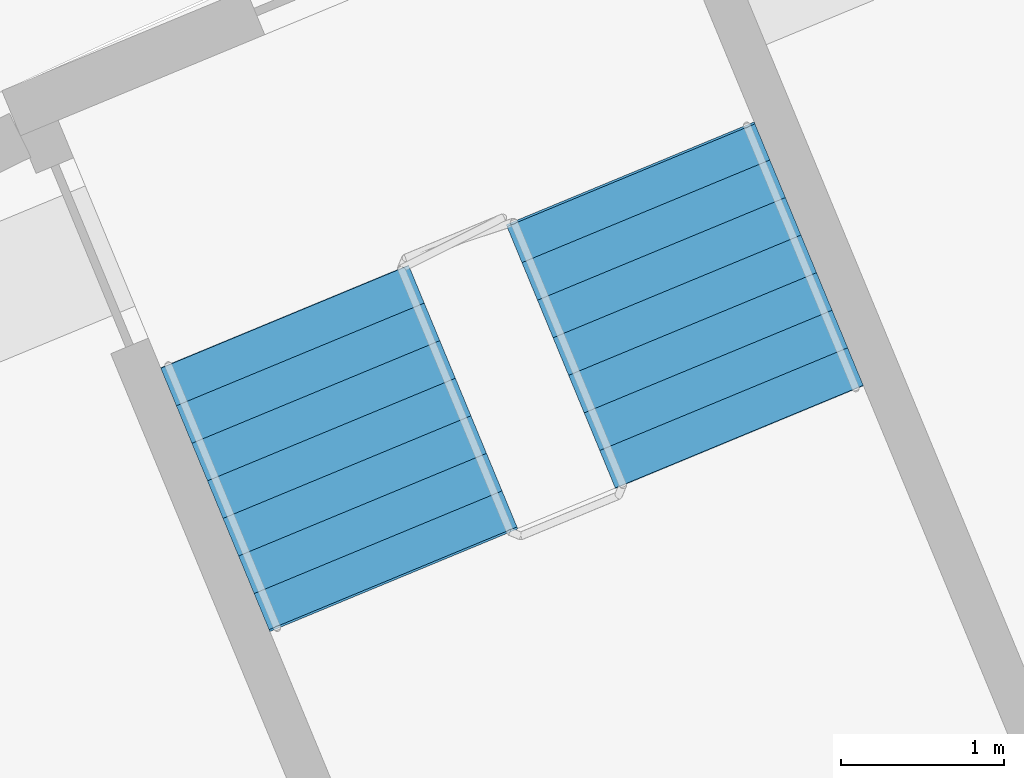
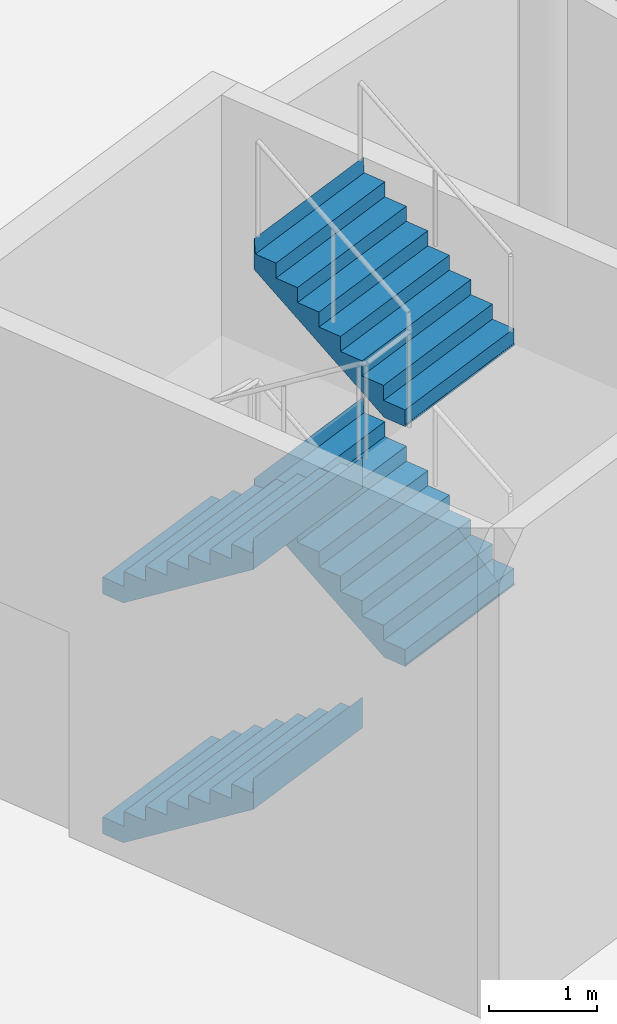
# One storey, part 36 of 41: 4 stair flights, 1 element without a shape of its own.
"""IFC4 building model written with IfcOpenShell, lengths in metres."""

import ifcopenshell
import ifcopenshell.guid

model = None  # the IFC model being written
_history = None  # IfcOwnerHistory: only IFC2X3 demands one
_inside = {}  # id of a spatial element -> (the spatial element, [elements in it])
_under = {}  # id of a project, library or spatial element -> (it, [spatial elements below it])
_declared = {}  # id of a project -> (the project, [libraries it declares])
_typed = {}  # id of a type object -> (the type object, [elements of that type])
_made_of = {}  # id of a material, layer set ... -> (it, [elements and type objects made of it])


def new_model(schema):
    """Start an empty IFC model of exactly this schema.

    Asked for "IFC4X3", IfcOpenShell would pick the latest addendum, in which some entities
    have other attributes; the version numbers below select the first issue.
    IFC2X3 requires an IfcOwnerHistory on every rooted entity: one is made here for all.
    """
    global model, _history
    if schema == "IFC4X3":
        model = ifcopenshell.file(schema_version=(4, 3, 0, 0))
    else:
        model = ifcopenshell.file(schema=schema)
    _inside.clear()
    _under.clear()
    _declared.clear()
    _typed.clear()
    _made_of.clear()
    _history = None
    if model.schema == "IFC2X3":
        org = make("IfcOrganization", Name="unknown")
        user = make(
            "IfcPersonAndOrganization",
            ThePerson=make("IfcPerson", FamilyName="unknown"),
            TheOrganization=org,
        )
        app = make(
            "IfcApplication",
            ApplicationDeveloper=org,
            Version="unknown",
            ApplicationFullName="unknown",
            ApplicationIdentifier="unknown",
        )
        _history = make(
            "IfcOwnerHistory",
            OwningUser=user,
            OwningApplication=app,
            ChangeAction="ADDED",
            CreationDate=0,
        )
    return model


def make(cls, **values):
    """One entity of the class cls with the attributes given. An attribute that is None is left unset."""
    return model.create_entity(
        cls, **{name: value for name, value in values.items() if value is not None}
    )


def rooted(cls, **values):
    """An entity with a GlobalId (a new one), such as an element, a storey or a relation."""
    return make(cls, GlobalId=ifcopenshell.guid.new(), OwnerHistory=_history, **values)


def si_unit(unit_type, name, prefix=None):
    """IfcSIUnit, for example si_unit("LENGTHUNIT", "METRE", prefix="MILLI")."""
    return make("IfcSIUnit", UnitType=unit_type, Prefix=prefix, Name=name)


def assignment(units):
    """IfcUnitAssignment: the units of a project."""
    return None if units is None else make("IfcUnitAssignment", Units=units)


def point(xyz):
    """IfcCartesianPoint."""
    return None if xyz is None else make("IfcCartesianPoint", Coordinates=xyz)


def direction(xyz):
    """IfcDirection."""
    return None if xyz is None else make("IfcDirection", DirectionRatios=xyz)


def frame(location, z_axis=None, x_axis=None):
    """IfcAxis2Placement3D, a coordinate frame: its origin and axes. An axis left out is left unset."""
    return make(
        "IfcAxis2Placement3D",
        Location=point(location),
        Axis=direction(z_axis),
        RefDirection=direction(x_axis),
    )


def origin():
    """The frame at (0, 0, 0) with its axes left unset."""
    return frame((0.0, 0.0, 0.0))


def place(relative_to, where):
    """IfcLocalPlacement: puts the frame where relative to a parent placement (None: the world)."""
    return make(
        "IfcLocalPlacement", PlacementRelTo=relative_to, RelativePlacement=where
    )


def context(
    kind, dimensions, precision=None, world=None, true_north=None, identifier=None
):
    """IfcGeometricRepresentationContext, for example the 3D "Model" context."""
    return make(
        "IfcGeometricRepresentationContext",
        ContextIdentifier=identifier,
        ContextType=kind,
        CoordinateSpaceDimension=dimensions,
        Precision=precision,
        WorldCoordinateSystem=world,
        TrueNorth=true_north,
    )


def subcontext(parent, identifier, kind, view, scale=None):
    """IfcGeometricRepresentationSubContext, for example "Body" below "Model"."""
    return make(
        "IfcGeometricRepresentationSubContext",
        ContextIdentifier=identifier,
        ContextType=kind,
        ParentContext=parent,
        TargetScale=scale,
        TargetView=view,
    )


def project(units=None, contexts=None):
    """IfcProject with its units and contexts."""
    return rooted(
        "IfcProject",
        Name="project",
        RepresentationContexts=contexts,
        UnitsInContext=assignment(units),
    )


def spatial(cls, under=None, at=None, **own):
    """A site, building, storey or space (cls), placed at a placement, below another one or the project."""
    s = rooted(cls, ObjectPlacement=at, **own)
    if under is not None:
        _under.setdefault(under.id(), (under, []))[1].append(s)
    return s


def point_list(points):
    """IfcCartesianPointList2D or 3D."""
    cls = (
        "IfcCartesianPointList2D" if len(points[0]) == 2 else "IfcCartesianPointList3D"
    )
    return make(cls, CoordList=points)


def triangles(points, corners, closed=None, point_numbers=None):
    """IfcTriangulatedFaceSet: each triangle names its three corners, points numbered from 1."""
    return make(
        "IfcTriangulatedFaceSet",
        Coordinates=point_list(points),
        Closed=closed,
        CoordIndex=corners,
        PnIndex=point_numbers,
    )


def shape(context_of_items, identifier, shape_type, items):
    """IfcShapeRepresentation: the items that make up one representation, for example the "Body"."""
    return make(
        "IfcShapeRepresentation",
        ContextOfItems=context_of_items,
        RepresentationIdentifier=identifier,
        RepresentationType=shape_type,
        Items=items,
    )


def material(Name=None, Category=None):
    """IfcMaterial."""
    return make("IfcMaterial", Name=Name, Category=Category)


def made_of(thing, what):
    """Note that an element or type object is made of a material, layer set ...; save() writes the relation."""
    if what is not None:
        _made_of.setdefault(what.id(), (what, []))[1].append(thing)
    return thing


def type_object(cls, material=None, **own):
    """A type object (cls), such as IfcWallType, which elements share."""
    return made_of(rooted(cls, **own), material)


def element(
    cls,
    number,
    at=None,
    inside=None,
    cuts=None,
    type_object=None,
    material=None,
    context=None,
    identifier="Body",
    shape_type=None,
    held_by="IfcProductDefinitionShape",
    body=None,
    shapes=None,
    **own,
):
    """One element of the class cls, such as IfcWall. Its Tag is "e" and its number.

    at: its placement. inside: the storey or other place that contains it. cuts: it is an
    opening in that element (IfcRelVoidsElement). A single representation is given by context,
    identifier, shape_type and body (its items); several are given by shapes. held_by: the class
    of the entity that holds the representations. save() writes the other relations.
    """
    e = rooted(cls, Tag="e%d" % number, ObjectPlacement=at, **own)
    if body is not None:
        shapes = [shape(context, identifier, shape_type, body)]
    if shapes is not None:
        e.Representation = make(held_by, Representations=shapes)
    if inside is not None:
        _inside.setdefault(inside.id(), (inside, []))[1].append(e)
    if cuts is not None:
        rooted(
            "IfcRelVoidsElement", RelatingBuildingElement=cuts, RelatedOpeningElement=e
        )
    if type_object is not None:
        _typed.setdefault(type_object.id(), (type_object, []))[1].append(e)
    return made_of(e, material)


def aggregate(whole, parts):
    """IfcRelAggregates: a whole, such as a stair, and the parts it consists of."""
    return rooted("IfcRelAggregates", RelatingObject=whole, RelatedObjects=parts)


def save(model, path):
    """Write the relations noted so far, then the file.

    IfcRelAggregates (storeys below a building ...), IfcRelContainedInSpatialStructure (elements
    in a storey), IfcRelDefinesByType, IfcRelAssociatesMaterial and IfcRelDeclares: one each for
    every whole, place, type object, material and project.
    """
    for whole, parts in _under.values():
        aggregate(whole, parts)
    for where, things in _inside.values():
        rooted(
            "IfcRelContainedInSpatialStructure",
            RelatedElements=things,
            RelatingStructure=where,
        )
    for kind, things in _typed.values():
        rooted("IfcRelDefinesByType", RelatedObjects=things, RelatingType=kind)
    for what, things in _made_of.values():
        rooted("IfcRelAssociatesMaterial", RelatedObjects=things, RelatingMaterial=what)
    for by, libraries in _declared.values():
        rooted("IfcRelDeclares", RelatingContext=by, RelatedDefinitions=libraries)
    model.write(path)


model = new_model("IFC4")

# Units and contexts
model_context = context("Model", 3, precision=1e-05, world=origin(), true_north=direction((0.0, 1.0)))
body_context = subcontext(model_context, "Body", "Model", "MODEL_VIEW")
ifc_project = project(units=[si_unit("LENGTHUNIT", "METRE"), si_unit("AREAUNIT", "SQUARE_METRE"), si_unit("VOLUMEUNIT", "CUBIC_METRE"), si_unit("PLANEANGLEUNIT", "RADIAN"), si_unit("MASSUNIT", "GRAM", prefix="KILO")], contexts=[model_context])

# Site, building, storey
site_placement = place(None, origin())
site = spatial("IfcSite", under=ifc_project, at=site_placement, CompositionType="ELEMENT")
building_placement = place(site_placement, origin())
building = spatial("IfcBuilding", under=site, at=building_placement, Name="Maasbend Ring Residences", CompositionType="ELEMENT")
storey_placement = place(building_placement, origin())
storey = spatial("IfcBuildingStorey", under=building, at=storey_placement, Name="L00", CompositionType="ELEMENT", Elevation=0.0)

# Stair, stair flights
ifc_material_1 = material(Name="Concrete C40/50", Category="concrete")
stair_type = type_object("IfcStairType", Name="CORE STAIR 32 RISERS", PredefinedType="HALF_TURN_STAIR", material=ifc_material_1)
stair_placement = place(storey_placement, origin())
stair = element("IfcStair", 1, at=stair_placement, inside=storey, type_object=stair_type, Name="L00 Exit stair ST-P1", PredefinedType="HALF_TURN_STAIR")
ifc_material_2 = material(Name="Concrete C40/50", Category="concrete")
stair_flight_type = type_object("IfcStairFlightType", Name="CORE STAIR FLIGHT 1650", PredefinedType="STRAIGHT", material=ifc_material_2)
stair_flight_1_placement = place(storey_placement, frame((-17.900634765625, 40.210693359375, 0.0), z_axis=(0.0, 0.0, 1.0), x_axis=(0.382683432365, -0.923879532511, 0.0)))
stair_flight_1 = element("IfcStairFlight", 2, at=stair_flight_1_placement, type_object=stair_flight_type, Name="ST-P1 flight 1", NumberOfRisers=8, NumberOfTreads=7, PredefinedType="STRAIGHT", RiserHeight=0.16875, TreadLength=0.25, context=body_context, shape_type="Tessellation", body=[
    triangles([(0.2412109375, 0.824951171875, -0.02001953125), (1.7529296875, 0.824951171875, 1.00048828125), (1.7529296875, 0.824951171875, 1.35009765625), (1.739990234375, 0.824951171875, 1.18115234375), (1.5, 0.824951171875, 1.18115234375), (1.5, 0.824951171875, 1.012451171875), (1.25, 0.824951171875, 1.012451171875), (1.25, 0.824951171875, 0.84375), (1.0, 0.824951171875, 0.84375), (1.0, 0.824951171875, 0.675048828125), (0.75, 0.824951171875, 0.675048828125), (0.75, 0.824951171875, 0.50634765625), (0.5, 0.824951171875, 0.50634765625), (0.5, 0.824951171875, 0.33740234375), (0.25, 0.824951171875, 0.33740234375), (0.25, 0.824951171875, 0.168701171875), (0.0, 0.824951171875, 0.168701171875), (0.0, 0.824951171875, 0.0), (-0.0029296875, 0.824951171875, 0.0), (-0.0029296875, 0.824951171875, -0.02001953125), (0.2412109375, 0.41259765625, -0.02001953125), (1.7529296875, 0.41259765625, 1.00048828125), (1.7529296875, 0.41259765625, 1.35009765625), (1.739990234375, 0.41259765625, 1.18115234375), (1.5, 0.41259765625, 1.18115234375), (1.5, 0.41259765625, 1.012451171875), (1.25, 0.41259765625, 1.012451171875), (1.25, 0.41259765625, 0.84375), (1.0, 0.41259765625, 0.84375), (1.0, 0.41259765625, 0.675048828125), (0.75, 0.41259765625, 0.675048828125), (0.75, 0.41259765625, 0.50634765625), (0.5, 0.41259765625, 0.50634765625), (0.5, 0.41259765625, 0.33740234375), (0.25, 0.41259765625, 0.33740234375), (0.25, 0.41259765625, 0.168701171875), (0.0, 0.41259765625, 0.168701171875), (0.0, 0.41259765625, 0.0), (-0.0029296875, 0.41259765625, 0.0), (-0.0029296875, 0.41259765625, -0.02001953125), (0.2412109375, 0.0, -0.02001953125), (1.7529296875, 0.0, 1.00048828125), (1.7529296875, 0.0, 1.35009765625), (1.739990234375, 0.0, 1.18115234375), (1.5, 0.0, 1.18115234375), (1.5, 0.0, 1.012451171875), (1.25, 0.0, 1.012451171875), (1.25, 0.0, 0.84375), (1.0, 0.0, 0.84375), (1.0, 0.0, 0.675048828125), (0.75, 0.0, 0.675048828125), (0.75, 0.0, 0.50634765625), (0.5, 0.0, 0.50634765625), (0.5, 0.0, 0.33740234375), (0.25, 0.0, 0.33740234375), (0.25, 0.0, 0.168701171875), (0.0, 0.0, 0.168701171875), (0.0, 0.0, 0.0), (-0.0029296875, 0.0, 0.0), (-0.0029296875, 0.0, -0.02001953125), (0.2412109375, -0.41259765625, -0.02001953125), (1.7529296875, -0.41259765625, 1.00048828125), (1.7529296875, -0.41259765625, 1.35009765625), (1.739990234375, -0.41259765625, 1.18115234375), (1.5, -0.41259765625, 1.18115234375), (1.5, -0.41259765625, 1.012451171875), (1.25, -0.41259765625, 1.012451171875), (1.25, -0.41259765625, 0.84375), (1.0, -0.41259765625, 0.84375), (1.0, -0.41259765625, 0.675048828125), (0.75, -0.41259765625, 0.675048828125), (0.75, -0.41259765625, 0.50634765625), (0.5, -0.41259765625, 0.50634765625), (0.5, -0.41259765625, 0.33740234375), (0.25, -0.41259765625, 0.33740234375), (0.25, -0.41259765625, 0.168701171875), (0.0, -0.41259765625, 0.168701171875), (0.0, -0.41259765625, 0.0), (-0.0029296875, -0.41259765625, 0.0), (-0.0029296875, -0.41259765625, -0.02001953125), (0.2412109375, -0.824951171875, -0.02001953125), (1.7529296875, -0.824951171875, 1.00048828125), (1.7529296875, -0.824951171875, 1.35009765625), (1.739990234375, -0.824951171875, 1.18115234375), (1.5, -0.824951171875, 1.18115234375), (1.5, -0.824951171875, 1.012451171875), (1.25, -0.824951171875, 1.012451171875), (1.25, -0.824951171875, 0.84375), (1.0, -0.824951171875, 0.84375), (1.0, -0.824951171875, 0.675048828125), (0.75, -0.824951171875, 0.675048828125), (0.75, -0.824951171875, 0.50634765625), (0.5, -0.824951171875, 0.50634765625), (0.5, -0.824951171875, 0.33740234375), (0.25, -0.824951171875, 0.33740234375), (0.25, -0.824951171875, 0.168701171875), (0.0, -0.824951171875, 0.168701171875), (0.0, -0.824951171875, 0.0), (-0.0029296875, -0.824951171875, 0.0), (-0.0029296875, -0.824951171875, -0.02001953125)], [[1, 2, 22], [1, 22, 21], [21, 22, 42], [21, 42, 41], [41, 42, 62], [41, 62, 61], [61, 62, 82], [61, 82, 81], [2, 3, 23], [2, 23, 22], [22, 23, 43], [22, 43, 42], [42, 43, 63], [42, 63, 62], [62, 63, 83], [62, 83, 82], [3, 4, 24], [3, 24, 23], [23, 24, 44], [23, 44, 43], [43, 44, 64], [43, 64, 63], [63, 64, 84], [63, 84, 83], [4, 5, 25], [4, 25, 24], [24, 25, 45], [24, 45, 44], [44, 45, 65], [44, 65, 64], [64, 65, 85], [64, 85, 84], [5, 6, 26], [5, 26, 25], [25, 26, 46], [25, 46, 45], [45, 46, 66], [45, 66, 65], [65, 66, 86], [65, 86, 85], [6, 7, 27], [6, 27, 26], [26, 27, 47], [26, 47, 46], [46, 47, 67], [46, 67, 66], [66, 67, 87], [66, 87, 86], [7, 8, 28], [7, 28, 27], [27, 28, 48], [27, 48, 47], [47, 48, 68], [47, 68, 67], [67, 68, 88], [67, 88, 87], [8, 9, 29], [8, 29, 28], [28, 29, 49], [28, 49, 48], [48, 49, 69], [48, 69, 68], [68, 69, 89], [68, 89, 88], [9, 10, 30], [9, 30, 29], [29, 30, 50], [29, 50, 49], [49, 50, 70], [49, 70, 69], [69, 70, 90], [69, 90, 89], [10, 11, 31], [10, 31, 30], [30, 31, 51], [30, 51, 50], [50, 51, 71], [50, 71, 70], [70, 71, 91], [70, 91, 90], [11, 12, 32], [11, 32, 31], [31, 32, 52], [31, 52, 51], [51, 52, 72], [51, 72, 71], [71, 72, 92], [71, 92, 91], [12, 13, 33], [12, 33, 32], [32, 33, 53], [32, 53, 52], [52, 53, 73], [52, 73, 72], [72, 73, 93], [72, 93, 92], [13, 14, 34], [13, 34, 33], [33, 34, 54], [33, 54, 53], [53, 54, 74], [53, 74, 73], [73, 74, 94], [73, 94, 93], [14, 15, 35], [14, 35, 34], [34, 35, 55], [34, 55, 54], [54, 55, 75], [54, 75, 74], [74, 75, 95], [74, 95, 94], [15, 16, 36], [15, 36, 35], [35, 36, 56], [35, 56, 55], [55, 56, 76], [55, 76, 75], [75, 76, 96], [75, 96, 95], [16, 17, 37], [16, 37, 36], [36, 37, 57], [36, 57, 56], [56, 57, 77], [56, 77, 76], [76, 77, 97], [76, 97, 96], [17, 18, 38], [17, 38, 37], [37, 38, 58], [37, 58, 57], [57, 58, 78], [57, 78, 77], [77, 78, 98], [77, 98, 97], [18, 19, 39], [18, 39, 38], [38, 39, 59], [38, 59, 58], [58, 59, 79], [58, 79, 78], [78, 79, 99], [78, 99, 98], [19, 20, 40], [19, 40, 39], [39, 40, 60], [39, 60, 59], [59, 60, 80], [59, 80, 79], [79, 80, 100], [79, 100, 99], [20, 1, 21], [20, 21, 40], [40, 21, 41], [40, 41, 60], [60, 41, 61], [60, 61, 80], [80, 61, 81], [80, 81, 100], [20, 2, 1], [2, 4, 3], [2, 5, 4], [2, 6, 5], [20, 6, 2], [6, 8, 7], [20, 8, 6], [8, 10, 9], [20, 10, 8], [10, 12, 11], [20, 12, 10], [12, 14, 13], [20, 14, 12], [14, 16, 15], [20, 16, 14], [16, 18, 17], [20, 18, 16], [18, 20, 19], [100, 81, 82], [82, 83, 84], [82, 84, 85], [82, 85, 86], [100, 82, 86], [86, 87, 88], [100, 86, 88], [88, 89, 90], [100, 88, 90], [90, 91, 92], [100, 90, 92], [92, 93, 94], [100, 92, 94], [94, 95, 96], [100, 94, 96], [96, 97, 98], [100, 96, 98], [98, 99, 100]], closed=True),
])
stair_flight_2_placement = place(storey_placement, frame((-15.10595703125, 39.473876953125, 1.35009765625), z_axis=(0.0, 0.0, 1.0), x_axis=(-0.382683432365, 0.923879532511, 0.0)))
stair_flight_2 = element("IfcStairFlight", 3, at=stair_flight_2_placement, type_object=stair_flight_type, Name="ST-P1 flight 2", NumberOfRisers=8, NumberOfTreads=7, PredefinedType="STRAIGHT", RiserHeight=0.16875, TreadLength=0.25, context=body_context, shape_type="Tessellation", body=[
    triangles([(0.2412109375, 0.824951171875, -0.02001953125), (1.7529296875, 0.824951171875, 1.00048828125), (1.7529296875, 0.824951171875, 1.35009765625), (1.739990234375, 0.824951171875, 1.18115234375), (1.5, 0.824951171875, 1.18115234375), (1.5, 0.824951171875, 1.012451171875), (1.25, 0.824951171875, 1.012451171875), (1.25, 0.824951171875, 0.84375), (1.0, 0.824951171875, 0.84375), (1.0, 0.824951171875, 0.675048828125), (0.75, 0.824951171875, 0.675048828125), (0.75, 0.824951171875, 0.50634765625), (0.5, 0.824951171875, 0.50634765625), (0.5, 0.824951171875, 0.33740234375), (0.25, 0.824951171875, 0.33740234375), (0.25, 0.824951171875, 0.168701171875), (0.0, 0.824951171875, 0.168701171875), (0.0, 0.824951171875, 0.0), (-0.0029296875, 0.824951171875, 0.0), (-0.0029296875, 0.824951171875, -0.02001953125), (0.2412109375, 0.41259765625, -0.02001953125), (1.7529296875, 0.41259765625, 1.00048828125), (1.7529296875, 0.41259765625, 1.35009765625), (1.739990234375, 0.41259765625, 1.18115234375), (1.5, 0.41259765625, 1.18115234375), (1.5, 0.41259765625, 1.012451171875), (1.25, 0.41259765625, 1.012451171875), (1.25, 0.41259765625, 0.84375), (1.0, 0.41259765625, 0.84375), (1.0, 0.41259765625, 0.675048828125), (0.75, 0.41259765625, 0.675048828125), (0.75, 0.41259765625, 0.50634765625), (0.5, 0.41259765625, 0.50634765625), (0.5, 0.41259765625, 0.33740234375), (0.25, 0.41259765625, 0.33740234375), (0.25, 0.41259765625, 0.168701171875), (0.0, 0.41259765625, 0.168701171875), (0.0, 0.41259765625, 0.0), (-0.0029296875, 0.41259765625, 0.0), (-0.0029296875, 0.41259765625, -0.02001953125), (0.2412109375, 0.0, -0.02001953125), (1.7529296875, 0.0, 1.00048828125), (1.7529296875, 0.0, 1.35009765625), (1.739990234375, 0.0, 1.18115234375), (1.5, 0.0, 1.18115234375), (1.5, 0.0, 1.012451171875), (1.25, 0.0, 1.012451171875), (1.25, 0.0, 0.84375), (1.0, 0.0, 0.84375), (1.0, 0.0, 0.675048828125), (0.75, 0.0, 0.675048828125), (0.75, 0.0, 0.50634765625), (0.5, 0.0, 0.50634765625), (0.5, 0.0, 0.33740234375), (0.25, 0.0, 0.33740234375), (0.25, 0.0, 0.168701171875), (0.0, 0.0, 0.168701171875), (0.0, 0.0, 0.0), (-0.0029296875, 0.0, 0.0), (-0.0029296875, 0.0, -0.02001953125), (0.2412109375, -0.41259765625, -0.02001953125), (1.7529296875, -0.41259765625, 1.00048828125), (1.7529296875, -0.41259765625, 1.35009765625), (1.739990234375, -0.41259765625, 1.18115234375), (1.5, -0.41259765625, 1.18115234375), (1.5, -0.41259765625, 1.012451171875), (1.25, -0.41259765625, 1.012451171875), (1.25, -0.41259765625, 0.84375), (1.0, -0.41259765625, 0.84375), (1.0, -0.41259765625, 0.675048828125), (0.75, -0.41259765625, 0.675048828125), (0.75, -0.41259765625, 0.50634765625), (0.5, -0.41259765625, 0.50634765625), (0.5, -0.41259765625, 0.33740234375), (0.25, -0.41259765625, 0.33740234375), (0.25, -0.41259765625, 0.168701171875), (0.0, -0.41259765625, 0.168701171875), (0.0, -0.41259765625, 0.0), (-0.0029296875, -0.41259765625, 0.0), (-0.0029296875, -0.41259765625, -0.02001953125), (0.2412109375, -0.824951171875, -0.02001953125), (1.7529296875, -0.824951171875, 1.00048828125), (1.7529296875, -0.824951171875, 1.35009765625), (1.739990234375, -0.824951171875, 1.18115234375), (1.5, -0.824951171875, 1.18115234375), (1.5, -0.824951171875, 1.012451171875), (1.25, -0.824951171875, 1.012451171875), (1.25, -0.824951171875, 0.84375), (1.0, -0.824951171875, 0.84375), (1.0, -0.824951171875, 0.675048828125), (0.75, -0.824951171875, 0.675048828125), (0.75, -0.824951171875, 0.50634765625), (0.5, -0.824951171875, 0.50634765625), (0.5, -0.824951171875, 0.33740234375), (0.25, -0.824951171875, 0.33740234375), (0.25, -0.824951171875, 0.168701171875), (0.0, -0.824951171875, 0.168701171875), (0.0, -0.824951171875, 0.0), (-0.0029296875, -0.824951171875, 0.0), (-0.0029296875, -0.824951171875, -0.02001953125)], [[1, 2, 22], [1, 22, 21], [21, 22, 42], [21, 42, 41], [41, 42, 62], [41, 62, 61], [61, 62, 82], [61, 82, 81], [2, 3, 23], [2, 23, 22], [22, 23, 43], [22, 43, 42], [42, 43, 63], [42, 63, 62], [62, 63, 83], [62, 83, 82], [3, 4, 24], [3, 24, 23], [23, 24, 44], [23, 44, 43], [43, 44, 64], [43, 64, 63], [63, 64, 84], [63, 84, 83], [4, 5, 25], [4, 25, 24], [24, 25, 45], [24, 45, 44], [44, 45, 65], [44, 65, 64], [64, 65, 85], [64, 85, 84], [5, 6, 26], [5, 26, 25], [25, 26, 46], [25, 46, 45], [45, 46, 66], [45, 66, 65], [65, 66, 86], [65, 86, 85], [6, 7, 27], [6, 27, 26], [26, 27, 47], [26, 47, 46], [46, 47, 67], [46, 67, 66], [66, 67, 87], [66, 87, 86], [7, 8, 28], [7, 28, 27], [27, 28, 48], [27, 48, 47], [47, 48, 68], [47, 68, 67], [67, 68, 88], [67, 88, 87], [8, 9, 29], [8, 29, 28], [28, 29, 49], [28, 49, 48], [48, 49, 69], [48, 69, 68], [68, 69, 89], [68, 89, 88], [9, 10, 30], [9, 30, 29], [29, 30, 50], [29, 50, 49], [49, 50, 70], [49, 70, 69], [69, 70, 90], [69, 90, 89], [10, 11, 31], [10, 31, 30], [30, 31, 51], [30, 51, 50], [50, 51, 71], [50, 71, 70], [70, 71, 91], [70, 91, 90], [11, 12, 32], [11, 32, 31], [31, 32, 52], [31, 52, 51], [51, 52, 72], [51, 72, 71], [71, 72, 92], [71, 92, 91], [12, 13, 33], [12, 33, 32], [32, 33, 53], [32, 53, 52], [52, 53, 73], [52, 73, 72], [72, 73, 93], [72, 93, 92], [13, 14, 34], [13, 34, 33], [33, 34, 54], [33, 54, 53], [53, 54, 74], [53, 74, 73], [73, 74, 94], [73, 94, 93], [14, 15, 35], [14, 35, 34], [34, 35, 55], [34, 55, 54], [54, 55, 75], [54, 75, 74], [74, 75, 95], [74, 95, 94], [15, 16, 36], [15, 36, 35], [35, 36, 56], [35, 56, 55], [55, 56, 76], [55, 76, 75], [75, 76, 96], [75, 96, 95], [16, 17, 37], [16, 37, 36], [36, 37, 57], [36, 57, 56], [56, 57, 77], [56, 77, 76], [76, 77, 97], [76, 97, 96], [17, 18, 38], [17, 38, 37], [37, 38, 58], [37, 58, 57], [57, 58, 78], [57, 78, 77], [77, 78, 98], [77, 98, 97], [18, 19, 39], [18, 39, 38], [38, 39, 59], [38, 59, 58], [58, 59, 79], [58, 79, 78], [78, 79, 99], [78, 99, 98], [19, 20, 40], [19, 40, 39], [39, 40, 60], [39, 60, 59], [59, 60, 80], [59, 80, 79], [79, 80, 100], [79, 100, 99], [20, 1, 21], [20, 21, 40], [40, 21, 41], [40, 41, 60], [60, 41, 61], [60, 61, 80], [80, 61, 81], [80, 81, 100], [20, 2, 1], [2, 4, 3], [2, 5, 4], [2, 6, 5], [20, 6, 2], [6, 8, 7], [20, 8, 6], [8, 10, 9], [20, 10, 8], [10, 12, 11], [20, 12, 10], [12, 14, 13], [20, 14, 12], [14, 16, 15], [20, 16, 14], [16, 18, 17], [20, 18, 16], [18, 20, 19], [100, 81, 82], [82, 83, 84], [82, 84, 85], [82, 85, 86], [100, 82, 86], [86, 87, 88], [100, 86, 88], [88, 89, 90], [100, 88, 90], [90, 91, 92], [100, 90, 92], [92, 93, 94], [100, 92, 94], [94, 95, 96], [100, 94, 96], [96, 97, 98], [100, 96, 98], [98, 99, 100]], closed=True),
])
stair_flight_3_placement = place(storey_placement, frame((-17.900634765625, 40.210693359375, 2.699951171875), z_axis=(0.0, 0.0, 1.0), x_axis=(0.382683432365, -0.923879532511, 0.0)))
stair_flight_3 = element("IfcStairFlight", 4, at=stair_flight_3_placement, type_object=stair_flight_type, Name="ST-P1 flight 3", NumberOfRisers=8, NumberOfTreads=7, PredefinedType="STRAIGHT", RiserHeight=0.16875, TreadLength=0.25, context=body_context, shape_type="Tessellation", body=[
    triangles([(0.2412109375, 0.824951171875, -0.02001953125), (1.7529296875, 0.824951171875, 1.00048828125), (1.7529296875, 0.824951171875, 1.35009765625), (1.739990234375, 0.824951171875, 1.18115234375), (1.5, 0.824951171875, 1.18115234375), (1.5, 0.824951171875, 1.012451171875), (1.25, 0.824951171875, 1.012451171875), (1.25, 0.824951171875, 0.84375), (1.0, 0.824951171875, 0.84375), (1.0, 0.824951171875, 0.675048828125), (0.75, 0.824951171875, 0.675048828125), (0.75, 0.824951171875, 0.50634765625), (0.5, 0.824951171875, 0.50634765625), (0.5, 0.824951171875, 0.33740234375), (0.25, 0.824951171875, 0.33740234375), (0.25, 0.824951171875, 0.168701171875), (0.0, 0.824951171875, 0.168701171875), (0.0, 0.824951171875, 0.0), (-0.0029296875, 0.824951171875, 0.0), (-0.0029296875, 0.824951171875, -0.02001953125), (0.2412109375, 0.41259765625, -0.02001953125), (1.7529296875, 0.41259765625, 1.00048828125), (1.7529296875, 0.41259765625, 1.35009765625), (1.739990234375, 0.41259765625, 1.18115234375), (1.5, 0.41259765625, 1.18115234375), (1.5, 0.41259765625, 1.012451171875), (1.25, 0.41259765625, 1.012451171875), (1.25, 0.41259765625, 0.84375), (1.0, 0.41259765625, 0.84375), (1.0, 0.41259765625, 0.675048828125), (0.75, 0.41259765625, 0.675048828125), (0.75, 0.41259765625, 0.50634765625), (0.5, 0.41259765625, 0.50634765625), (0.5, 0.41259765625, 0.33740234375), (0.25, 0.41259765625, 0.33740234375), (0.25, 0.41259765625, 0.168701171875), (0.0, 0.41259765625, 0.168701171875), (0.0, 0.41259765625, 0.0), (-0.0029296875, 0.41259765625, 0.0), (-0.0029296875, 0.41259765625, -0.02001953125), (0.2412109375, 0.0, -0.02001953125), (1.7529296875, 0.0, 1.00048828125), (1.7529296875, 0.0, 1.35009765625), (1.739990234375, 0.0, 1.18115234375), (1.5, 0.0, 1.18115234375), (1.5, 0.0, 1.012451171875), (1.25, 0.0, 1.012451171875), (1.25, 0.0, 0.84375), (1.0, 0.0, 0.84375), (1.0, 0.0, 0.675048828125), (0.75, 0.0, 0.675048828125), (0.75, 0.0, 0.50634765625), (0.5, 0.0, 0.50634765625), (0.5, 0.0, 0.33740234375), (0.25, 0.0, 0.33740234375), (0.25, 0.0, 0.168701171875), (0.0, 0.0, 0.168701171875), (0.0, 0.0, 0.0), (-0.0029296875, 0.0, 0.0), (-0.0029296875, 0.0, -0.02001953125), (0.2412109375, -0.41259765625, -0.02001953125), (1.7529296875, -0.41259765625, 1.00048828125), (1.7529296875, -0.41259765625, 1.35009765625), (1.739990234375, -0.41259765625, 1.18115234375), (1.5, -0.41259765625, 1.18115234375), (1.5, -0.41259765625, 1.012451171875), (1.25, -0.41259765625, 1.012451171875), (1.25, -0.41259765625, 0.84375), (1.0, -0.41259765625, 0.84375), (1.0, -0.41259765625, 0.675048828125), (0.75, -0.41259765625, 0.675048828125), (0.75, -0.41259765625, 0.50634765625), (0.5, -0.41259765625, 0.50634765625), (0.5, -0.41259765625, 0.33740234375), (0.25, -0.41259765625, 0.33740234375), (0.25, -0.41259765625, 0.168701171875), (0.0, -0.41259765625, 0.168701171875), (0.0, -0.41259765625, 0.0), (-0.0029296875, -0.41259765625, 0.0), (-0.0029296875, -0.41259765625, -0.02001953125), (0.2412109375, -0.824951171875, -0.02001953125), (1.7529296875, -0.824951171875, 1.00048828125), (1.7529296875, -0.824951171875, 1.35009765625), (1.739990234375, -0.824951171875, 1.18115234375), (1.5, -0.824951171875, 1.18115234375), (1.5, -0.824951171875, 1.012451171875), (1.25, -0.824951171875, 1.012451171875), (1.25, -0.824951171875, 0.84375), (1.0, -0.824951171875, 0.84375), (1.0, -0.824951171875, 0.675048828125), (0.75, -0.824951171875, 0.675048828125), (0.75, -0.824951171875, 0.50634765625), (0.5, -0.824951171875, 0.50634765625), (0.5, -0.824951171875, 0.33740234375), (0.25, -0.824951171875, 0.33740234375), (0.25, -0.824951171875, 0.168701171875), (0.0, -0.824951171875, 0.168701171875), (0.0, -0.824951171875, 0.0), (-0.0029296875, -0.824951171875, 0.0), (-0.0029296875, -0.824951171875, -0.02001953125)], [[1, 2, 22], [1, 22, 21], [21, 22, 42], [21, 42, 41], [41, 42, 62], [41, 62, 61], [61, 62, 82], [61, 82, 81], [2, 3, 23], [2, 23, 22], [22, 23, 43], [22, 43, 42], [42, 43, 63], [42, 63, 62], [62, 63, 83], [62, 83, 82], [3, 4, 24], [3, 24, 23], [23, 24, 44], [23, 44, 43], [43, 44, 64], [43, 64, 63], [63, 64, 84], [63, 84, 83], [4, 5, 25], [4, 25, 24], [24, 25, 45], [24, 45, 44], [44, 45, 65], [44, 65, 64], [64, 65, 85], [64, 85, 84], [5, 6, 26], [5, 26, 25], [25, 26, 46], [25, 46, 45], [45, 46, 66], [45, 66, 65], [65, 66, 86], [65, 86, 85], [6, 7, 27], [6, 27, 26], [26, 27, 47], [26, 47, 46], [46, 47, 67], [46, 67, 66], [66, 67, 87], [66, 87, 86], [7, 8, 28], [7, 28, 27], [27, 28, 48], [27, 48, 47], [47, 48, 68], [47, 68, 67], [67, 68, 88], [67, 88, 87], [8, 9, 29], [8, 29, 28], [28, 29, 49], [28, 49, 48], [48, 49, 69], [48, 69, 68], [68, 69, 89], [68, 89, 88], [9, 10, 30], [9, 30, 29], [29, 30, 50], [29, 50, 49], [49, 50, 70], [49, 70, 69], [69, 70, 90], [69, 90, 89], [10, 11, 31], [10, 31, 30], [30, 31, 51], [30, 51, 50], [50, 51, 71], [50, 71, 70], [70, 71, 91], [70, 91, 90], [11, 12, 32], [11, 32, 31], [31, 32, 52], [31, 52, 51], [51, 52, 72], [51, 72, 71], [71, 72, 92], [71, 92, 91], [12, 13, 33], [12, 33, 32], [32, 33, 53], [32, 53, 52], [52, 53, 73], [52, 73, 72], [72, 73, 93], [72, 93, 92], [13, 14, 34], [13, 34, 33], [33, 34, 54], [33, 54, 53], [53, 54, 74], [53, 74, 73], [73, 74, 94], [73, 94, 93], [14, 15, 35], [14, 35, 34], [34, 35, 55], [34, 55, 54], [54, 55, 75], [54, 75, 74], [74, 75, 95], [74, 95, 94], [15, 16, 36], [15, 36, 35], [35, 36, 56], [35, 56, 55], [55, 56, 76], [55, 76, 75], [75, 76, 96], [75, 96, 95], [16, 17, 37], [16, 37, 36], [36, 37, 57], [36, 57, 56], [56, 57, 77], [56, 77, 76], [76, 77, 97], [76, 97, 96], [17, 18, 38], [17, 38, 37], [37, 38, 58], [37, 58, 57], [57, 58, 78], [57, 78, 77], [77, 78, 98], [77, 98, 97], [18, 19, 39], [18, 39, 38], [38, 39, 59], [38, 59, 58], [58, 59, 79], [58, 79, 78], [78, 79, 99], [78, 99, 98], [19, 20, 40], [19, 40, 39], [39, 40, 60], [39, 60, 59], [59, 60, 80], [59, 80, 79], [79, 80, 100], [79, 100, 99], [20, 1, 21], [20, 21, 40], [40, 21, 41], [40, 41, 60], [60, 41, 61], [60, 61, 80], [80, 61, 81], [80, 81, 100], [20, 2, 1], [2, 4, 3], [2, 5, 4], [2, 6, 5], [20, 6, 2], [6, 8, 7], [20, 8, 6], [8, 10, 9], [20, 10, 8], [10, 12, 11], [20, 12, 10], [12, 14, 13], [20, 14, 12], [14, 16, 15], [20, 16, 14], [16, 18, 17], [20, 18, 16], [18, 20, 19], [100, 81, 82], [82, 83, 84], [82, 84, 85], [82, 85, 86], [100, 82, 86], [86, 87, 88], [100, 86, 88], [88, 89, 90], [100, 88, 90], [90, 91, 92], [100, 90, 92], [92, 93, 94], [100, 92, 94], [94, 95, 96], [100, 94, 96], [96, 97, 98], [100, 96, 98], [98, 99, 100]], closed=True),
])
stair_flight_4_placement = place(storey_placement, frame((-15.10595703125, 39.473876953125, 4.050048828125), z_axis=(0.0, 0.0, 1.0), x_axis=(-0.382683432365, 0.923879532511, 0.0)))
stair_flight_4 = element("IfcStairFlight", 5, at=stair_flight_4_placement, type_object=stair_flight_type, Name="ST-P1 flight 4", NumberOfRisers=8, NumberOfTreads=7, PredefinedType="STRAIGHT", RiserHeight=0.16875, TreadLength=0.25, context=body_context, shape_type="Tessellation", body=[
    triangles([(0.2412109375, 0.824951171875, -0.02001953125), (1.7529296875, 0.824951171875, 1.00048828125), (1.7529296875, 0.824951171875, 1.35009765625), (1.739990234375, 0.824951171875, 1.18115234375), (1.5, 0.824951171875, 1.18115234375), (1.5, 0.824951171875, 1.012451171875), (1.25, 0.824951171875, 1.012451171875), (1.25, 0.824951171875, 0.84375), (1.0, 0.824951171875, 0.84375), (1.0, 0.824951171875, 0.675048828125), (0.75, 0.824951171875, 0.675048828125), (0.75, 0.824951171875, 0.50634765625), (0.5, 0.824951171875, 0.50634765625), (0.5, 0.824951171875, 0.33740234375), (0.25, 0.824951171875, 0.33740234375), (0.25, 0.824951171875, 0.168701171875), (0.0, 0.824951171875, 0.168701171875), (0.0, 0.824951171875, 0.0), (-0.0029296875, 0.824951171875, 0.0), (-0.0029296875, 0.824951171875, -0.02001953125), (0.2412109375, 0.41259765625, -0.02001953125), (1.7529296875, 0.41259765625, 1.00048828125), (1.7529296875, 0.41259765625, 1.35009765625), (1.739990234375, 0.41259765625, 1.18115234375), (1.5, 0.41259765625, 1.18115234375), (1.5, 0.41259765625, 1.012451171875), (1.25, 0.41259765625, 1.012451171875), (1.25, 0.41259765625, 0.84375), (1.0, 0.41259765625, 0.84375), (1.0, 0.41259765625, 0.675048828125), (0.75, 0.41259765625, 0.675048828125), (0.75, 0.41259765625, 0.50634765625), (0.5, 0.41259765625, 0.50634765625), (0.5, 0.41259765625, 0.33740234375), (0.25, 0.41259765625, 0.33740234375), (0.25, 0.41259765625, 0.168701171875), (0.0, 0.41259765625, 0.168701171875), (0.0, 0.41259765625, 0.0), (-0.0029296875, 0.41259765625, 0.0), (-0.0029296875, 0.41259765625, -0.02001953125), (0.2412109375, 0.0, -0.02001953125), (1.7529296875, 0.0, 1.00048828125), (1.7529296875, 0.0, 1.35009765625), (1.739990234375, 0.0, 1.18115234375), (1.5, 0.0, 1.18115234375), (1.5, 0.0, 1.012451171875), (1.25, 0.0, 1.012451171875), (1.25, 0.0, 0.84375), (1.0, 0.0, 0.84375), (1.0, 0.0, 0.675048828125), (0.75, 0.0, 0.675048828125), (0.75, 0.0, 0.50634765625), (0.5, 0.0, 0.50634765625), (0.5, 0.0, 0.33740234375), (0.25, 0.0, 0.33740234375), (0.25, 0.0, 0.168701171875), (0.0, 0.0, 0.168701171875), (0.0, 0.0, 0.0), (-0.0029296875, 0.0, 0.0), (-0.0029296875, 0.0, -0.02001953125), (0.2412109375, -0.41259765625, -0.02001953125), (1.7529296875, -0.41259765625, 1.00048828125), (1.7529296875, -0.41259765625, 1.35009765625), (1.739990234375, -0.41259765625, 1.18115234375), (1.5, -0.41259765625, 1.18115234375), (1.5, -0.41259765625, 1.012451171875), (1.25, -0.41259765625, 1.012451171875), (1.25, -0.41259765625, 0.84375), (1.0, -0.41259765625, 0.84375), (1.0, -0.41259765625, 0.675048828125), (0.75, -0.41259765625, 0.675048828125), (0.75, -0.41259765625, 0.50634765625), (0.5, -0.41259765625, 0.50634765625), (0.5, -0.41259765625, 0.33740234375), (0.25, -0.41259765625, 0.33740234375), (0.25, -0.41259765625, 0.168701171875), (0.0, -0.41259765625, 0.168701171875), (0.0, -0.41259765625, 0.0), (-0.0029296875, -0.41259765625, 0.0), (-0.0029296875, -0.41259765625, -0.02001953125), (0.2412109375, -0.824951171875, -0.02001953125), (1.7529296875, -0.824951171875, 1.00048828125), (1.7529296875, -0.824951171875, 1.35009765625), (1.739990234375, -0.824951171875, 1.18115234375), (1.5, -0.824951171875, 1.18115234375), (1.5, -0.824951171875, 1.012451171875), (1.25, -0.824951171875, 1.012451171875), (1.25, -0.824951171875, 0.84375), (1.0, -0.824951171875, 0.84375), (1.0, -0.824951171875, 0.675048828125), (0.75, -0.824951171875, 0.675048828125), (0.75, -0.824951171875, 0.50634765625), (0.5, -0.824951171875, 0.50634765625), (0.5, -0.824951171875, 0.33740234375), (0.25, -0.824951171875, 0.33740234375), (0.25, -0.824951171875, 0.168701171875), (0.0, -0.824951171875, 0.168701171875), (0.0, -0.824951171875, 0.0), (-0.0029296875, -0.824951171875, 0.0), (-0.0029296875, -0.824951171875, -0.02001953125)], [[1, 2, 22], [1, 22, 21], [21, 22, 42], [21, 42, 41], [41, 42, 62], [41, 62, 61], [61, 62, 82], [61, 82, 81], [2, 3, 23], [2, 23, 22], [22, 23, 43], [22, 43, 42], [42, 43, 63], [42, 63, 62], [62, 63, 83], [62, 83, 82], [3, 4, 24], [3, 24, 23], [23, 24, 44], [23, 44, 43], [43, 44, 64], [43, 64, 63], [63, 64, 84], [63, 84, 83], [4, 5, 25], [4, 25, 24], [24, 25, 45], [24, 45, 44], [44, 45, 65], [44, 65, 64], [64, 65, 85], [64, 85, 84], [5, 6, 26], [5, 26, 25], [25, 26, 46], [25, 46, 45], [45, 46, 66], [45, 66, 65], [65, 66, 86], [65, 86, 85], [6, 7, 27], [6, 27, 26], [26, 27, 47], [26, 47, 46], [46, 47, 67], [46, 67, 66], [66, 67, 87], [66, 87, 86], [7, 8, 28], [7, 28, 27], [27, 28, 48], [27, 48, 47], [47, 48, 68], [47, 68, 67], [67, 68, 88], [67, 88, 87], [8, 9, 29], [8, 29, 28], [28, 29, 49], [28, 49, 48], [48, 49, 69], [48, 69, 68], [68, 69, 89], [68, 89, 88], [9, 10, 30], [9, 30, 29], [29, 30, 50], [29, 50, 49], [49, 50, 70], [49, 70, 69], [69, 70, 90], [69, 90, 89], [10, 11, 31], [10, 31, 30], [30, 31, 51], [30, 51, 50], [50, 51, 71], [50, 71, 70], [70, 71, 91], [70, 91, 90], [11, 12, 32], [11, 32, 31], [31, 32, 52], [31, 52, 51], [51, 52, 72], [51, 72, 71], [71, 72, 92], [71, 92, 91], [12, 13, 33], [12, 33, 32], [32, 33, 53], [32, 53, 52], [52, 53, 73], [52, 73, 72], [72, 73, 93], [72, 93, 92], [13, 14, 34], [13, 34, 33], [33, 34, 54], [33, 54, 53], [53, 54, 74], [53, 74, 73], [73, 74, 94], [73, 94, 93], [14, 15, 35], [14, 35, 34], [34, 35, 55], [34, 55, 54], [54, 55, 75], [54, 75, 74], [74, 75, 95], [74, 95, 94], [15, 16, 36], [15, 36, 35], [35, 36, 56], [35, 56, 55], [55, 56, 76], [55, 76, 75], [75, 76, 96], [75, 96, 95], [16, 17, 37], [16, 37, 36], [36, 37, 57], [36, 57, 56], [56, 57, 77], [56, 77, 76], [76, 77, 97], [76, 97, 96], [17, 18, 38], [17, 38, 37], [37, 38, 58], [37, 58, 57], [57, 58, 78], [57, 78, 77], [77, 78, 98], [77, 98, 97], [18, 19, 39], [18, 39, 38], [38, 39, 59], [38, 59, 58], [58, 59, 79], [58, 79, 78], [78, 79, 99], [78, 99, 98], [19, 20, 40], [19, 40, 39], [39, 40, 60], [39, 60, 59], [59, 60, 80], [59, 80, 79], [79, 80, 100], [79, 100, 99], [20, 1, 21], [20, 21, 40], [40, 21, 41], [40, 41, 60], [60, 41, 61], [60, 61, 80], [80, 61, 81], [80, 81, 100], [20, 2, 1], [2, 4, 3], [2, 5, 4], [2, 6, 5], [20, 6, 2], [6, 8, 7], [20, 8, 6], [8, 10, 9], [20, 10, 8], [10, 12, 11], [20, 12, 10], [12, 14, 13], [20, 14, 12], [14, 16, 15], [20, 16, 14], [16, 18, 17], [20, 18, 16], [18, 20, 19], [100, 81, 82], [82, 83, 84], [82, 84, 85], [82, 85, 86], [100, 82, 86], [86, 87, 88], [100, 86, 88], [88, 89, 90], [100, 88, 90], [90, 91, 92], [100, 90, 92], [92, 93, 94], [100, 92, 94], [94, 95, 96], [100, 94, 96], [96, 97, 98], [100, 96, 98], [98, 99, 100]], closed=True),
])
aggregate(stair, [stair_flight_1, stair_flight_2, stair_flight_3, stair_flight_4])

save(model, "model.ifc")
